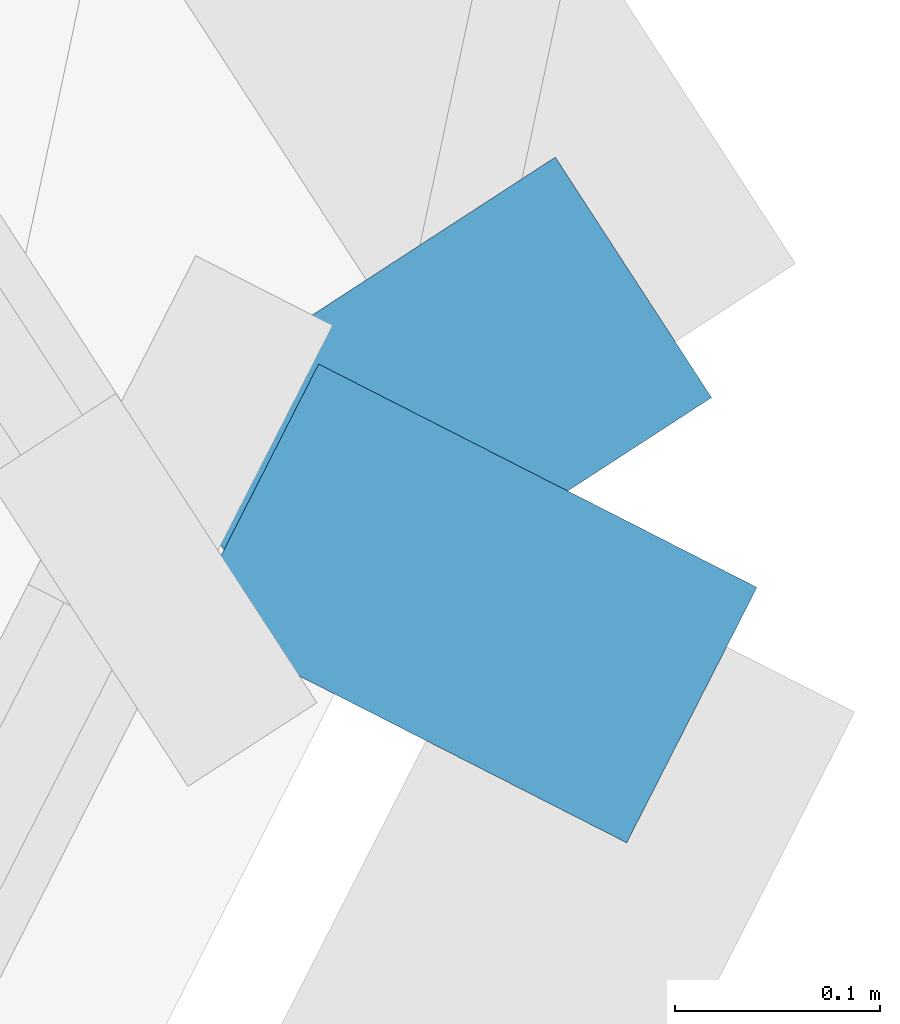
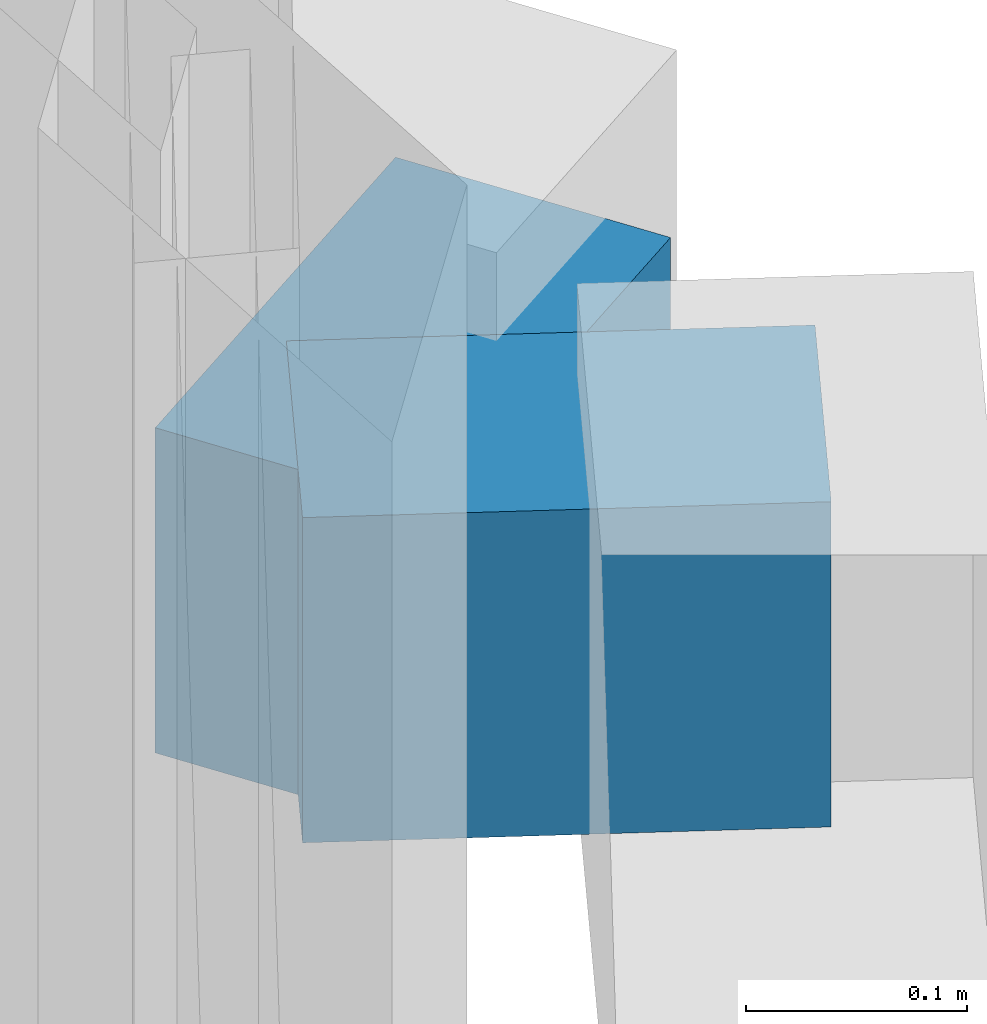
# One storey, part 11 of 15: 2 discrete accessories.
"""IFC4 building model written with IfcOpenShell, lengths in metres."""

from ifc_helpers import new_model, si_unit, direction, frame, origin, origin_2d, place, context, subcontext, project, spatial, rectangle, extrude, material, type_object, element, save


model = new_model("IFC4")

# Units and contexts
model_context = context("Model", 3, precision=1e-05, world=origin(), true_north=direction((0.0, 1.0)))
body_context = subcontext(model_context, "Body", "Model", "MODEL_VIEW")
ifc_project = project(units=[si_unit("LENGTHUNIT", "METRE"), si_unit("AREAUNIT", "SQUARE_METRE"), si_unit("VOLUMEUNIT", "CUBIC_METRE"), si_unit("PLANEANGLEUNIT", "RADIAN"), si_unit("MASSUNIT", "GRAM", prefix="KILO")], contexts=[model_context])

# Site, building, storey
site_placement = place(None, origin())
site = spatial("IfcSite", under=ifc_project, at=site_placement, CompositionType="ELEMENT")
building_placement = place(site_placement, origin())
building = spatial("IfcBuilding", under=site, at=building_placement, Name="Terralouvre Media Tower", CompositionType="ELEMENT")
storey_placement = place(building_placement, frame((0.0, 0.0, 267.0)))
storey = spatial("IfcBuildingStorey", under=building, at=storey_placement, Name="L69", CompositionType="ELEMENT", Elevation=267.0)

# Discrete accessories
ifc_material = material(Name="Anodised extruded aluminium 6063-T6", Category="aluminium")
discrete_accessory_type = type_object("IfcDiscreteAccessoryType", Name="Mullion Stand-Off Baguette Fixing Bracket BK-01", PredefinedType="BRACKET", material=ifc_material)
for number, where, z_axis, x_axis, name in (
    (1, (24.82958984375, 12.44677734375, 2.07421875), (0.0, 0.0, 1.0), (0.45399044259, 0.891006553308, 0.0), "CW-L69-F0 Baguette Outrigger Bracket 1.06"),
    (2, (24.807373046875, 12.54052734375, 2.07421875), (0.0, 0.0, 1.0), (-0.544639197097, 0.838670462688, 0.0), "CW-L69-C1 Baguette Outrigger Bracket 1.01"),
):
    element("IfcDiscreteAccessory", number, at=place(storey_placement, frame(where, z_axis=z_axis, x_axis=x_axis)), inside=storey, type_object=discrete_accessory_type, Name=name, PredefinedType="BRACKET", context=body_context, shape_type="SweptSolid", body=[
        extrude(rectangle(XDim=0.139892578125, YDim=0.239990234375, at=origin_2d()), origin(), (0.0, 0.0, 1.0), 0.179931640625),
    ])

save(model, "model.ifc")
